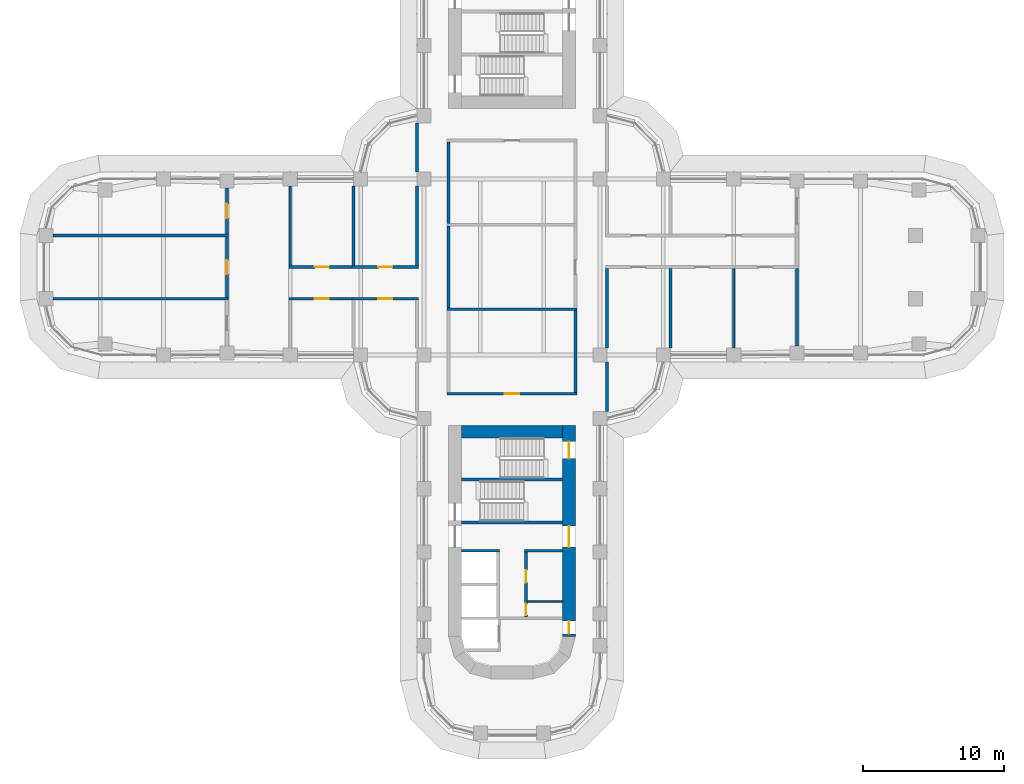
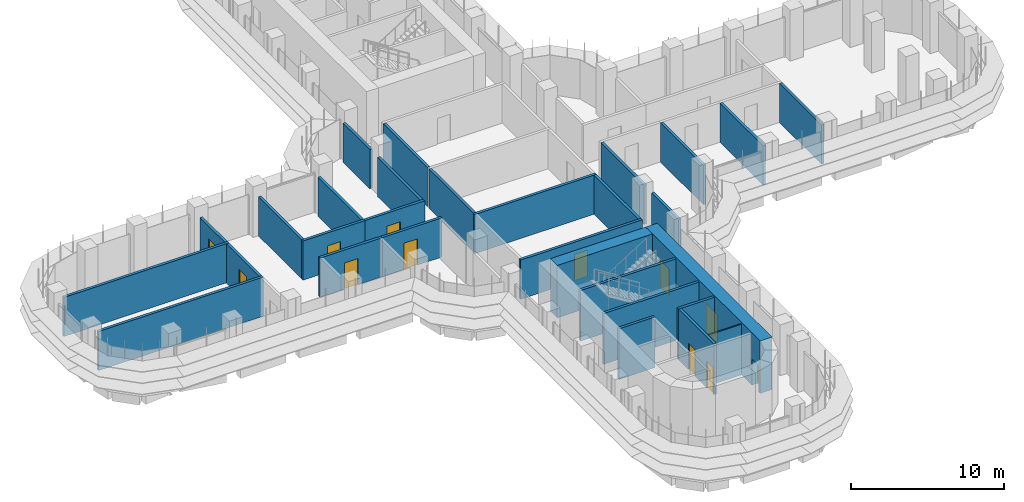
# One storey, part 17 of 23: 30 walls, 12 doors, 12 openings.
"""IFC4 building model written with IfcOpenShell, lengths in metres."""

from ifc_helpers import new_model, si_unit, direction, frame, frame_2d, origin, place, context, subcontext, project, spatial, rectangle, extrude, material, layer, layer_set, type_object, element, fill, save


model = new_model("IFC4")

# Units and contexts
model_context = context("Model", 3, precision=1e-05, world=origin(), true_north=direction((0.0, 1.0)))
body_context = subcontext(model_context, "Body", "Model", "MODEL_VIEW")
ifc_project = project(units=[si_unit("LENGTHUNIT", "METRE"), si_unit("AREAUNIT", "SQUARE_METRE"), si_unit("VOLUMEUNIT", "CUBIC_METRE"), si_unit("PLANEANGLEUNIT", "RADIAN"), si_unit("MASSUNIT", "GRAM", prefix="KILO")], contexts=[model_context])

# Site, building, storey
site_placement = place(None, origin())
site = spatial("IfcSite", under=ifc_project, at=site_placement, CompositionType="ELEMENT")
building_placement = place(site_placement, origin())
building = spatial("IfcBuilding", under=site, at=building_placement, Name="Zarbagh Exchange Tower", CompositionType="ELEMENT")
storey_placement = place(building_placement, frame((0.0, 0.0, 31.199951171875)))
storey = spatial("IfcBuildingStorey", under=building, at=storey_placement, Name="L06", CompositionType="ELEMENT", Elevation=31.199951171875)

# Walls
ifc_material_1 = material(Name="Dense blockwork", Category="masonry")
ifc_layer_1 = layer(ifc_material_1, 0.10009765625)
ifc_layer_set_1 = layer_set([ifc_layer_1], Name="Core partition 100 mm blockwork")
wall_type_1 = type_object("IfcWallType", Name="Core partition 100 mm blockwork", PredefinedType="PARTITIONING", material=ifc_layer_set_1)
wall_1_placement = place(storey_placement, frame((3.60009765625, -23.75, 0.0), z_axis=(0.0, 0.0, 1.0), x_axis=(-1.0, 0.0, 0.0)))
element("IfcWall", 1, at=wall_1_placement, inside=storey, type_object=wall_type_1, Name="South core partition wall CUT-W-460", PredefinedType="PARTITIONING", context=body_context, shape_type="SweptSolid", body=[
    extrude(rectangle(XDim=2.5, YDim=0.10009765625, at=frame_2d((1.25, 0.0))), origin(), (0.0, 0.0, 1.0), 4.050048828125),
])
ifc_material_2 = material(Name="Fire-rated plasterboard partition")
ifc_layer_2 = layer(ifc_material_2, 0.199951171875)
ifc_layer_set_2 = layer_set([ifc_layer_2], Name="RATED PARTITION 200")
wall_type_2 = type_object("IfcWallType", Name="RATED PARTITION 200", PredefinedType="PARTITIONING", material=ifc_layer_set_2)
for number, where, z_axis, x_axis, name in (
    (2, (-4.5, 3.10009765625, 0.0), (0.0, 0.0, 1.0), (0.0, 1.0, 0.0), "Partition W-201"),
    (3, (-4.5, -2.89990234375, 0.0), (0.0, 0.0, 1.0), (0.0, 1.0, 0.0), "Partition W-202"),
):
    element("IfcWall", number, at=place(storey_placement, frame(where, z_axis=z_axis, x_axis=x_axis)), inside=storey, type_object=wall_type_2, Name=name, PredefinedType="PARTITIONING", context=body_context, shape_type="SweptSolid", body=[
        extrude(rectangle(XDim=5.7998046875, YDim=0.199951171875, at=frame_2d((2.89990234375, 0.0))), origin(), (0.0, 0.0, 1.0), 3.130615234375),
    ])
wall_2_placement = place(storey_placement, frame((-6.75, 0.10009765625, 0.0), z_axis=(0.0, 0.0, 1.0), x_axis=(0.0, 1.0, 0.0)))
element("IfcWall", 4, at=wall_2_placement, inside=storey, type_object=wall_type_2, Name="Partition W-204", PredefinedType="PARTITIONING", context=body_context, shape_type="SweptSolid", body=[
    extrude(rectangle(XDim=5.64990234375, YDim=0.199951171875, at=frame_2d((2.824951171875, 0.0))), origin(), (0.0, 0.0, 1.0), 3.130615234375),
])
wall_3_placement = place(storey_placement, frame((-6.75, 6.75, 0.0), z_axis=(0.0, 0.0, 1.0), x_axis=(0.0, 1.0, 0.0)))
element("IfcWall", 5, at=wall_3_placement, inside=storey, type_object=wall_type_2, Name="Partition W-205", PredefinedType="PARTITIONING", context=body_context, shape_type="SweptSolid", body=[
    extrude(rectangle(XDim=3.5, YDim=0.199951171875, at=frame_2d((1.75, 0.0))), origin(), (0.0, 0.0, 1.0), 3.130615234375),
])
wall_4_placement = place(storey_placement, frame((4.5, -8.89990234375, 0.0), z_axis=(0.0, 0.0, 1.0), x_axis=(0.0, 1.0, 0.0)))
element("IfcWall", 6, at=wall_4_placement, inside=storey, type_object=wall_type_2, Name="Partition W-210", PredefinedType="PARTITIONING", context=body_context, shape_type="SweptSolid", body=[
    extrude(rectangle(XDim=5.7998046875, YDim=0.199951171875, at=frame_2d((2.89990234375, 0.0))), origin(), (0.0, 0.0, 1.0), 3.130615234375),
])
wall_5_placement = place(storey_placement, frame((6.75, -10.25, 0.0), z_axis=(0.0, 0.0, 1.0), x_axis=(0.0, 1.0, 0.0)))
element("IfcWall", 7, at=wall_5_placement, inside=storey, type_object=wall_type_2, Name="Partition W-213", PredefinedType="PARTITIONING", context=body_context, shape_type="SweptSolid", body=[
    extrude(rectangle(XDim=3.5, YDim=0.199951171875, at=frame_2d((1.75, 0.0))), origin(), (0.0, 0.0, 1.0), 3.130615234375),
])
wall_6_placement = place(storey_placement, frame((6.75, -5.75, 0.0), z_axis=(0.0, 0.0, 1.0), x_axis=(0.0, 1.0, 0.0)))
element("IfcWall", 8, at=wall_6_placement, inside=storey, type_object=wall_type_2, Name="Partition W-214", PredefinedType="PARTITIONING", context=body_context, shape_type="SweptSolid", body=[
    extrude(rectangle(XDim=5.64990234375, YDim=0.199951171875, at=frame_2d((2.824951171875, 0.0))), origin(), (0.0, 0.0, 1.0), 3.130615234375),
])

# Wall, opening, door
wall_7_placement = place(storey_placement, frame((-4.60009765625, -9.0, 0.0), z_axis=(0.0, 0.0, 1.0), x_axis=(1.0, 0.0, 0.0)))
wall_7 = element("IfcWall", 9, at=wall_7_placement, inside=storey, type_object=wall_type_2, Name="Partition W-216", PredefinedType="PARTITIONING", context=body_context, shape_type="SweptSolid", body=[
    extrude(rectangle(XDim=9.2001953125, YDim=0.199951171875, at=frame_2d((4.60009765625, 0.0))), origin(), (0.0, 0.0, 1.0), 3.130615234375),
])
opening_1_placement = place(wall_7_placement, frame((4.10009765625, 0.0, 0.0)))
opening_1 = element("IfcOpeningElement", 10, at=opening_1_placement, cuts=wall_7, Name="Opening D-203", PredefinedType="OPENING", context=body_context, shape_type="SweptSolid", body=[
    extrude(rectangle(XDim=1.0, YDim=2.10009765625, at=frame_2d((0.5, 1.050048828125))), frame((0.0, 0.10986328125, 0.0), z_axis=(0.0, -1.0, 0.0), x_axis=(1.0, 0.0, 0.0)), (0.0, 0.0, 1.0), 0.219970703125),
])
ifc_material_3 = material(Name="Steel door set", Category="steel")
door_type_1 = type_object("IfcDoorType", Name="FIRE DOOR 1000 X 2100 FD30S", OperationType="NOTDEFINED", PredefinedType="DOOR", material=ifc_material_3)
door_1_placement = place(opening_1_placement, origin())
door_1 = element("IfcDoor", 11, at=door_1_placement, inside=storey, type_object=door_type_1, Name="Door D-203", OperationType="SINGLE_SWING_RIGHT", OverallHeight=2.10009765625, OverallWidth=1.0, PredefinedType="DOOR", context=body_context, shape_type="SweptSolid", body=[
    extrude(rectangle(XDim=1.0, YDim=2.10009765625, at=frame_2d((0.5, 1.050048828125))), frame((0.0, 0.02490234375, 0.0), z_axis=(0.0, -1.0, 0.0), x_axis=(1.0, 0.0, 0.0)), (0.0, 0.0, 1.0), 0.050048828125),
])
fill(opening_1, door_1)

# Walls
wall_8_placement = place(storey_placement, frame((-4.60009765625, -3.0, 0.0), z_axis=(0.0, 0.0, 1.0), x_axis=(1.0, 0.0, 0.0)))
element("IfcWall", 12, at=wall_8_placement, inside=storey, type_object=wall_type_2, Name="Partition W-218", PredefinedType="PARTITIONING", context=body_context, shape_type="SweptSolid", body=[
    extrude(rectangle(XDim=9.2001953125, YDim=0.199951171875, at=frame_2d((4.60009765625, 0.0))), origin(), (0.0, 0.0, 1.0), 3.130615234375),
])
for number, where, z_axis, x_axis, name in (
    (13, (11.25, -5.75, 0.0), (0.0, 0.0, 1.0), (0.0, 1.0, 0.0), "Partition W-226"),
    (14, (15.75, -5.75, 0.0), (0.0, 0.0, 1.0), (0.0, 1.0, 0.0), "Partition W-228"),
):
    element("IfcWall", number, at=place(storey_placement, frame(where, z_axis=z_axis, x_axis=x_axis)), inside=storey, type_object=wall_type_2, Name=name, PredefinedType="PARTITIONING", context=body_context, shape_type="SweptSolid", body=[
        extrude(rectangle(XDim=5.64990234375, YDim=0.199951171875, at=frame_2d((2.824951171875, 0.0))), origin(), (0.0, 0.0, 1.0), 3.130615234375),
    ])
wall_9_placement = place(storey_placement, frame((20.25, -5.610107421875, 0.0), z_axis=(0.0, 0.0, 1.0), x_axis=(0.0, 1.0, 0.0)))
element("IfcWall", 15, at=wall_9_placement, inside=storey, type_object=wall_type_2, Name="Partition W-229", PredefinedType="PARTITIONING", context=body_context, shape_type="SweptSolid", body=[
    extrude(rectangle(XDim=5.510009765625, YDim=0.199951171875, at=frame_2d((2.7548828125, 0.0))), origin(), (0.0, 0.0, 1.0), 3.130615234375),
])

# Wall, opening, door
wall_10_placement = place(storey_placement, frame((-11.35009765625, 0.0, 0.0), z_axis=(0.0, 0.0, 1.0), x_axis=(1.0, 0.0, 0.0)))
wall_10 = element("IfcWall", 16, at=wall_10_placement, inside=storey, type_object=wall_type_2, Name="Partition W-230", PredefinedType="PARTITIONING", context=body_context, shape_type="SweptSolid", body=[
    extrude(rectangle(XDim=4.7001953125, YDim=0.199951171875, at=frame_2d((2.35009765625, 0.0))), origin(), (0.0, 0.0, 1.0), 3.130615234375),
])
opening_2_placement = place(wall_10_placement, frame((1.85009765625, 0.0, 0.0)))
opening_2 = element("IfcOpeningElement", 17, at=opening_2_placement, cuts=wall_10, Name="Opening D-210", PredefinedType="OPENING", context=body_context, shape_type="SweptSolid", body=[
    extrude(rectangle(XDim=1.0, YDim=2.10009765625, at=frame_2d((0.5, 1.050048828125))), frame((0.0, 0.10986328125, 0.0), z_axis=(0.0, -1.0, 0.0), x_axis=(1.0, 0.0, 0.0)), (0.0, 0.0, 1.0), 0.219970703125),
])
door_2_placement = place(opening_2_placement, origin())
door_2 = element("IfcDoor", 18, at=door_2_placement, inside=storey, type_object=door_type_1, Name="Door D-210", OperationType="SINGLE_SWING_RIGHT", OverallHeight=2.10009765625, OverallWidth=1.0, PredefinedType="DOOR", context=body_context, shape_type="SweptSolid", body=[
    extrude(rectangle(XDim=1.0, YDim=2.10009765625, at=frame_2d((0.5, 1.050048828125))), frame((0.0, 0.02490234375, 0.0), z_axis=(0.0, -1.0, 0.0), x_axis=(1.0, 0.0, 0.0)), (0.0, 0.0, 1.0), 0.050048828125),
])
fill(opening_2, door_2)

wall_11_placement = place(storey_placement, frame((-6.64990234375, -2.25, 0.0), z_axis=(0.0, 0.0, 1.0), x_axis=(-1.0, 0.0, 0.0)))
wall_11 = element("IfcWall", 19, at=wall_11_placement, inside=storey, type_object=wall_type_2, Name="Partition W-231", PredefinedType="PARTITIONING", context=body_context, shape_type="SweptSolid", body=[
    extrude(rectangle(XDim=4.7001953125, YDim=0.199951171875, at=frame_2d((2.35009765625, 0.0))), origin(), (0.0, 0.0, 1.0), 3.130615234375),
])
opening_3_placement = place(wall_11_placement, frame((1.85009765625, 0.0, 0.0)))
opening_3 = element("IfcOpeningElement", 20, at=opening_3_placement, cuts=wall_11, Name="Opening D-212", PredefinedType="OPENING", context=body_context, shape_type="SweptSolid", body=[
    extrude(rectangle(XDim=1.0, YDim=2.10009765625, at=frame_2d((0.5, 1.050048828125))), frame((0.0, 0.10986328125, 0.0), z_axis=(0.0, -1.0, 0.0), x_axis=(1.0, 0.0, 0.0)), (0.0, 0.0, 1.0), 0.219970703125),
])
door_3_placement = place(opening_3_placement, origin())
door_3 = element("IfcDoor", 21, at=door_3_placement, inside=storey, type_object=door_type_1, Name="Door D-212", OperationType="SINGLE_SWING_RIGHT", OverallHeight=2.10009765625, OverallWidth=1.0, PredefinedType="DOOR", context=body_context, shape_type="SweptSolid", body=[
    extrude(rectangle(XDim=1.0, YDim=2.10009765625, at=frame_2d((0.5, 1.050048828125))), frame((0.0, 0.02490234375, 0.0), z_axis=(0.0, -1.0, 0.0), x_axis=(1.0, 0.0, 0.0)), (0.0, 0.0, 1.0), 0.050048828125),
])
fill(opening_3, door_3)

wall_12_placement = place(storey_placement, frame((-15.85009765625, 0.0, 0.0), z_axis=(0.0, 0.0, 1.0), x_axis=(1.0, 0.0, 0.0)))
wall_12 = element("IfcWall", 22, at=wall_12_placement, inside=storey, type_object=wall_type_2, Name="Partition W-232", PredefinedType="PARTITIONING", context=body_context, shape_type="SweptSolid", body=[
    extrude(rectangle(XDim=4.7001953125, YDim=0.199951171875, at=frame_2d((2.35009765625, 0.0))), origin(), (0.0, 0.0, 1.0), 3.130615234375),
])
opening_4_placement = place(wall_12_placement, frame((1.85009765625, 0.0, 0.0)))
opening_4 = element("IfcOpeningElement", 23, at=opening_4_placement, cuts=wall_12, Name="Opening D-211", PredefinedType="OPENING", context=body_context, shape_type="SweptSolid", body=[
    extrude(rectangle(XDim=1.0, YDim=2.10009765625, at=frame_2d((0.5, 1.050048828125))), frame((0.0, 0.10986328125, 0.0), z_axis=(0.0, -1.0, 0.0), x_axis=(1.0, 0.0, 0.0)), (0.0, 0.0, 1.0), 0.219970703125),
])
door_4_placement = place(opening_4_placement, origin())
door_4 = element("IfcDoor", 24, at=door_4_placement, inside=storey, type_object=door_type_1, Name="Door D-211", OperationType="SINGLE_SWING_RIGHT", OverallHeight=2.10009765625, OverallWidth=1.0, PredefinedType="DOOR", context=body_context, shape_type="SweptSolid", body=[
    extrude(rectangle(XDim=1.0, YDim=2.10009765625, at=frame_2d((0.5, 1.050048828125))), frame((0.0, 0.02490234375, 0.0), z_axis=(0.0, -1.0, 0.0), x_axis=(1.0, 0.0, 0.0)), (0.0, 0.0, 1.0), 0.050048828125),
])
fill(opening_4, door_4)

wall_13_placement = place(storey_placement, frame((-11.14990234375, -2.25, 0.0), z_axis=(0.0, 0.0, 1.0), x_axis=(-1.0, 0.0, 0.0)))
wall_13 = element("IfcWall", 25, at=wall_13_placement, inside=storey, type_object=wall_type_2, Name="Partition W-233", PredefinedType="PARTITIONING", context=body_context, shape_type="SweptSolid", body=[
    extrude(rectangle(XDim=4.7001953125, YDim=0.199951171875, at=frame_2d((2.35009765625, 0.0))), origin(), (0.0, 0.0, 1.0), 3.130615234375),
])
opening_5_placement = place(wall_13_placement, frame((1.85009765625, 0.0, 0.0)))
opening_5 = element("IfcOpeningElement", 26, at=opening_5_placement, cuts=wall_13, Name="Opening D-213", PredefinedType="OPENING", context=body_context, shape_type="SweptSolid", body=[
    extrude(rectangle(XDim=1.0, YDim=2.10009765625, at=frame_2d((0.5, 1.050048828125))), frame((0.0, 0.10986328125, 0.0), z_axis=(0.0, -1.0, 0.0), x_axis=(1.0, 0.0, 0.0)), (0.0, 0.0, 1.0), 0.219970703125),
])
door_5_placement = place(opening_5_placement, origin())
door_5 = element("IfcDoor", 27, at=door_5_placement, inside=storey, type_object=door_type_1, Name="Door D-213", OperationType="SINGLE_SWING_RIGHT", OverallHeight=2.10009765625, OverallWidth=1.0, PredefinedType="DOOR", context=body_context, shape_type="SweptSolid", body=[
    extrude(rectangle(XDim=1.0, YDim=2.10009765625, at=frame_2d((0.5, 1.050048828125))), frame((0.0, 0.02490234375, 0.0), z_axis=(0.0, -1.0, 0.0), x_axis=(1.0, 0.0, 0.0)), (0.0, 0.0, 1.0), 0.050048828125),
])
fill(opening_5, door_5)

# Walls
for number, where, z_axis, x_axis, name in (
    (28, (-11.25, 0.10009765625, 0.0), (0.0, 0.0, 1.0), (0.0, 1.0, 0.0), "Partition W-234"),
    (29, (-15.75, 0.10009765625, 0.0), (0.0, 0.0, 1.0), (0.0, 1.0, 0.0), "Partition W-236"),
):
    element("IfcWall", number, at=place(storey_placement, frame(where, z_axis=z_axis, x_axis=x_axis)), inside=storey, type_object=wall_type_2, Name=name, PredefinedType="PARTITIONING", context=body_context, shape_type="SweptSolid", body=[
        extrude(rectangle(XDim=5.64990234375, YDim=0.199951171875, at=frame_2d((2.824951171875, 0.0))), origin(), (0.0, 0.0, 1.0), 3.130615234375),
    ])

# Wall, opening, door
wall_14_placement = place(storey_placement, frame((-20.25, -2.14990234375, 0.0), z_axis=(0.0, 0.0, 1.0), x_axis=(0.0, 1.0, 0.0)))
wall_14 = element("IfcWall", 30, at=wall_14_placement, inside=storey, type_object=wall_type_2, Name="Partition W-239", PredefinedType="PARTITIONING", context=body_context, shape_type="SweptSolid", body=[
    extrude(rectangle(XDim=4.2998046875, YDim=0.199951171875, at=frame_2d((2.14990234375, 0.0))), origin(), (0.0, 0.0, 1.0), 3.130615234375),
])
opening_6_placement = place(wall_14_placement, frame((1.64990234375, 0.0, 0.0)))
opening_6 = element("IfcOpeningElement", 31, at=opening_6_placement, cuts=wall_14, Name="Opening D-215", PredefinedType="OPENING", context=body_context, shape_type="SweptSolid", body=[
    extrude(rectangle(XDim=1.0, YDim=2.10009765625, at=frame_2d((0.5, 1.050048828125))), frame((0.0, 0.10986328125, 0.0), z_axis=(0.0, -1.0, 0.0), x_axis=(1.0, 0.0, 0.0)), (0.0, 0.0, 1.0), 0.219970703125),
])
door_6_placement = place(opening_6_placement, origin())
door_6 = element("IfcDoor", 32, at=door_6_placement, inside=storey, type_object=door_type_1, Name="Door D-215", OperationType="SINGLE_SWING_RIGHT", OverallHeight=2.10009765625, OverallWidth=1.0, PredefinedType="DOOR", context=body_context, shape_type="SweptSolid", body=[
    extrude(rectangle(XDim=1.0, YDim=2.10009765625, at=frame_2d((0.5, 1.050048828125))), frame((0.0, 0.02490234375, 0.0), z_axis=(0.0, -1.0, 0.0), x_axis=(1.0, 0.0, 0.0)), (0.0, 0.0, 1.0), 0.050048828125),
])
fill(opening_6, door_6)

wall_15_placement = place(storey_placement, frame((-20.25, 2.35009765625, 0.0), z_axis=(0.0, 0.0, 1.0), x_axis=(0.0, 1.0, 0.0)))
wall_15 = element("IfcWall", 33, at=wall_15_placement, inside=storey, type_object=wall_type_2, Name="Partition W-240", PredefinedType="PARTITIONING", context=body_context, shape_type="SweptSolid", body=[
    extrude(rectangle(XDim=3.260009765625, YDim=0.199951171875, at=frame_2d((1.6298828125, 0.0))), origin(), (0.0, 0.0, 1.0), 3.130615234375),
])
opening_7_placement = place(wall_15_placement, frame((1.1298828125, 0.0, 0.0)))
opening_7 = element("IfcOpeningElement", 34, at=opening_7_placement, cuts=wall_15, Name="Opening D-216", PredefinedType="OPENING", context=body_context, shape_type="SweptSolid", body=[
    extrude(rectangle(XDim=1.0, YDim=2.10009765625, at=frame_2d((0.5, 1.050048828125))), frame((0.0, 0.10986328125, 0.0), z_axis=(0.0, -1.0, 0.0), x_axis=(1.0, 0.0, 0.0)), (0.0, 0.0, 1.0), 0.219970703125),
])
door_7_placement = place(opening_7_placement, origin())
door_7 = element("IfcDoor", 35, at=door_7_placement, inside=storey, type_object=door_type_1, Name="Door D-216", OperationType="SINGLE_SWING_RIGHT", OverallHeight=2.10009765625, OverallWidth=1.0, PredefinedType="DOOR", context=body_context, shape_type="SweptSolid", body=[
    extrude(rectangle(XDim=1.0, YDim=2.10009765625, at=frame_2d((0.5, 1.050048828125))), frame((0.0, 0.02490234375, 0.0), z_axis=(0.0, -1.0, 0.0), x_axis=(1.0, 0.0, 0.0)), (0.0, 0.0, 1.0), 0.050048828125),
])
fill(opening_7, door_7)

# Walls
for number, where, z_axis, x_axis, name in (
    (36, (-32.610107421875, -2.25, 0.0), (0.0, 0.0, 1.0), (1.0, 0.0, 0.0), "Partition W-241"),
    (37, (-32.610107421875, 2.25, 0.0), (0.0, 0.0, 1.0), (1.0, 0.0, 0.0), "Partition W-242"),
):
    element("IfcWall", number, at=place(storey_placement, frame(where, z_axis=z_axis, x_axis=x_axis)), inside=storey, type_object=wall_type_2, Name=name, PredefinedType="PARTITIONING", context=body_context, shape_type="SweptSolid", body=[
        extrude(rectangle(XDim=12.460205078125, YDim=0.199951171875, at=frame_2d((6.22998046875, 0.0))), origin(), (0.0, 0.0, 1.0), 3.130615234375),
    ])

# Wall, openings, doors
ifc_material_4 = material(Name="Concrete C60/75", Category="concrete")
ifc_layer_3 = layer(ifc_material_4, 0.89990234375)
ifc_layer_set_3 = layer_set([ifc_layer_3], Name="RC core wall 900 C60/75")
wall_type_3 = type_object("IfcWallType", Name="RC core wall 900 C60/75", PredefinedType="SHEAR", material=ifc_layer_set_3)
wall_16_placement = place(storey_placement, frame((4.050048828125, -11.25, 0.0), z_axis=(0.0, 0.0, 1.0), x_axis=(0.0, -1.0, 0.0)))
wall_16 = element("IfcWall", 38, at=wall_16_placement, inside=storey, type_object=wall_type_3, Name="CW1 core S E", PredefinedType="SHEAR", context=body_context, shape_type="SweptSolid", body=[
    extrude(rectangle(XDim=15.0, YDim=0.89990234375, at=frame_2d((7.5, 0.0))), origin(), (0.0, 0.0, 1.0), 4.199951171875),
])
opening_8_placement = place(wall_16_placement, frame((7.14990234375, 0.0, 0.0)))
opening_8 = element("IfcOpeningElement", 39, at=opening_8_placement, cuts=wall_16, Name="Opening CD1-1500", PredefinedType="OPENING", context=body_context, shape_type="SweptSolid", body=[
    extrude(rectangle(XDim=1.5, YDim=2.300048828125, at=frame_2d((0.75, 1.14990234375))), frame((0.0, 0.4599609375, 0.0), z_axis=(0.0, -1.0, 0.0), x_axis=(1.0, 0.0, 0.0)), (0.0, 0.0, 1.0), 0.919921875),
])
opening_9_placement = place(wall_16_placement, frame((13.89990234375, 0.0, 0.0)))
opening_9 = element("IfcOpeningElement", 40, at=opening_9_placement, cuts=wall_16, Name="Opening CD2-900", PredefinedType="OPENING", context=body_context, shape_type="SweptSolid", body=[
    extrude(rectangle(XDim=0.89990234375, YDim=2.10009765625, at=frame_2d((0.449951171875, 1.050048828125))), frame((0.0, 0.4599609375, 0.0), z_axis=(0.0, -1.0, 0.0), x_axis=(1.0, 0.0, 0.0)), (0.0, 0.0, 1.0), 0.919921875),
])
opening_10_placement = place(wall_16_placement, frame((1.14990234375, 0.0, 0.0)))
opening_10 = element("IfcOpeningElement", 41, at=opening_10_placement, cuts=wall_16, Name="Opening SD1-1200", PredefinedType="OPENING", context=body_context, shape_type="SweptSolid", body=[
    extrude(rectangle(XDim=1.199951171875, YDim=2.10009765625, at=frame_2d((0.60009765625, 1.050048828125))), frame((0.0, 0.4599609375, 0.0), z_axis=(0.0, -1.0, 0.0), x_axis=(1.0, 0.0, 0.0)), (0.0, 0.0, 1.0), 0.919921875),
])
ifc_material_5 = material(Name="Steel", Category="steel")
door_type_2 = type_object("IfcDoorType", Name="Exit stair door 1200 x 2100", OperationType="NOTDEFINED", PredefinedType="DOOR", material=ifc_material_5)
door_8_placement = place(opening_10_placement, origin())
door_8 = element("IfcDoor", 42, at=door_8_placement, inside=storey, type_object=door_type_2, Name="South core stair door ST2", OperationType="SINGLE_SWING_RIGHT", OverallHeight=2.10009765625, OverallWidth=1.199951171875, PredefinedType="DOOR", context=body_context, shape_type="SweptSolid", body=[
    extrude(rectangle(XDim=1.199951171875, YDim=2.10009765625, at=frame_2d((0.60009765625, 1.050048828125))), frame((0.0, 0.02490234375, 0.0), z_axis=(0.0, -1.0, 0.0), x_axis=(1.0, 0.0, 0.0)), (0.0, 0.0, 1.0), 0.050048828125),
])
fill(opening_10, door_8)
door_type_3 = type_object("IfcDoorType", Name="Firefighting lobby door 900 x 2100", OperationType="NOTDEFINED", PredefinedType="DOOR", material=ifc_material_5)
door_9_placement = place(opening_9_placement, origin())
door_9 = element("IfcDoor", 43, at=door_9_placement, inside=storey, type_object=door_type_3, Name="South core firefighting lobby door FF-W", OperationType="SINGLE_SWING_LEFT", OverallHeight=2.10009765625, OverallWidth=0.89990234375, PredefinedType="DOOR", context=body_context, shape_type="SweptSolid", body=[
    extrude(rectangle(XDim=0.89990234375, YDim=2.10009765625, at=frame_2d((0.449951171875, 1.050048828125))), frame((0.0, 0.02490234375, 0.0), z_axis=(0.0, -1.0, 0.0), x_axis=(1.0, 0.0, 0.0)), (0.0, 0.0, 1.0), 0.050048828125),
])
fill(opening_9, door_9)
door_type_4 = type_object("IfcDoorType", Name="Lift lobby double door 1500 x 2300", OperationType="NOTDEFINED", PredefinedType="DOOR", material=ifc_material_5)
door_10_placement = place(opening_8_placement, origin())
door_10 = element("IfcDoor", 44, at=door_10_placement, inside=storey, type_object=door_type_4, Name="South core lift lobby door LOBBY-W", OperationType="DOUBLE_DOOR_SINGLE_SWING", OverallHeight=2.300048828125, OverallWidth=1.5, PredefinedType="DOOR", context=body_context, shape_type="SweptSolid", body=[
    extrude(rectangle(XDim=1.5, YDim=2.300048828125, at=frame_2d((0.75, 1.14990234375))), frame((0.0, 0.02490234375, 0.0), z_axis=(0.0, -1.0, 0.0), x_axis=(1.0, 0.0, 0.0)), (0.0, 0.0, 1.0), 0.050048828125),
])
fill(opening_8, door_10)

# Walls
wall_17_placement = place(storey_placement, frame((-3.60009765625, -11.699951171875, 0.0), z_axis=(0.0, 0.0, 1.0), x_axis=(1.0, 0.0, 0.0)))
element("IfcWall", 45, at=wall_17_placement, inside=storey, type_object=wall_type_3, Name="CW1 core S inner end", PredefinedType="SHEAR", context=body_context, shape_type="SweptSolid", body=[
    extrude(rectangle(XDim=7.2001953125, YDim=0.89990234375, at=frame_2d((3.60009765625, 0.0))), origin(), (0.0, 0.0, 1.0), 4.199951171875),
])
ifc_layer_4 = layer(ifc_material_1, 0.199951171875)
ifc_layer_set_4 = layer_set([ifc_layer_4], Name="Shaft wall 200 mm blockwork")
wall_type_4 = type_object("IfcWallType", Name="Shaft wall 200 mm blockwork", PredefinedType="PARTITIONING", material=ifc_layer_set_4)
wall_18_placement = place(storey_placement, frame((3.60009765625, -20.14990234375, 0.0), z_axis=(0.0, 0.0, 1.0), x_axis=(-1.0, 0.0, 0.0)))
element("IfcWall", 46, at=wall_18_placement, inside=storey, type_object=wall_type_4, Name="South core shaft wall AB-W", PredefinedType="PARTITIONING", context=body_context, shape_type="SweptSolid", body=[
    extrude(rectangle(XDim=2.7001953125, YDim=0.199951171875, at=frame_2d((1.35009765625, 0.0))), origin(), (0.0, 0.0, 1.0), 4.050048828125),
])

# Wall, openings, doors
wall_19_placement = place(storey_placement, frame((1.0, -24.85009765625, 0.0), z_axis=(0.0, 0.0, 1.0), x_axis=(0.0, 1.0, 0.0)))
wall_19 = element("IfcWall", 47, at=wall_19_placement, inside=storey, type_object=wall_type_4, Name="South core shaft wall LW-W", PredefinedType="PARTITIONING", context=body_context, shape_type="SweptSolid", body=[
    extrude(rectangle(XDim=4.60009765625, YDim=0.199951171875, at=frame_2d((2.300048828125, 0.0))), origin(), (0.0, 0.0, 1.0), 4.050048828125),
])
opening_11_placement = place(wall_19_placement, frame((0.125, 0.0, 0.0)))
opening_11 = element("IfcOpeningElement", 48, at=opening_11_placement, cuts=wall_19, Name="Opening CD3-800", PredefinedType="OPENING", context=body_context, shape_type="SweptSolid", body=[
    extrude(rectangle(XDim=0.800048828125, YDim=2.10009765625, at=frame_2d((0.39990234375, 1.050048828125))), frame((0.0, 0.10986328125, 0.0), z_axis=(0.0, -1.0, 0.0), x_axis=(1.0, 0.0, 0.0)), (0.0, 0.0, 1.0), 0.219970703125),
])
opening_12_placement = place(wall_19_placement, frame((2.425048828125, 0.0, 0.0)))
opening_12 = element("IfcOpeningElement", 49, at=opening_12_placement, cuts=wall_19, Name="Opening CD3-900", PredefinedType="OPENING", context=body_context, shape_type="SweptSolid", body=[
    extrude(rectangle(XDim=0.89990234375, YDim=2.10009765625, at=frame_2d((0.449951171875, 1.050048828125))), frame((0.0, 0.10986328125, 0.0), z_axis=(0.0, -1.0, 0.0), x_axis=(1.0, 0.0, 0.0)), (0.0, 0.0, 1.0), 0.219970703125),
])
door_type_5 = type_object("IfcDoorType", Name="Core room door 800 x 2100", OperationType="NOTDEFINED", PredefinedType="DOOR", material=ifc_material_5)
door_11_placement = place(opening_11_placement, origin())
door_11 = element("IfcDoor", 50, at=door_11_placement, inside=storey, type_object=door_type_5, Name="South core Store door RD-W-0", OperationType="SINGLE_SWING_RIGHT", OverallHeight=2.10009765625, OverallWidth=0.800048828125, PredefinedType="DOOR", context=body_context, shape_type="SweptSolid", body=[
    extrude(rectangle(XDim=0.800048828125, YDim=2.10009765625, at=frame_2d((0.39990234375, 1.050048828125))), frame((0.0, 0.02490234375, 0.0), z_axis=(0.0, -1.0, 0.0), x_axis=(1.0, 0.0, 0.0)), (0.0, 0.0, 1.0), 0.050048828125),
])
fill(opening_11, door_11)
door_type_6 = type_object("IfcDoorType", Name="Core room door 900 x 2100", OperationType="NOTDEFINED", PredefinedType="DOOR", material=ifc_material_5)
door_12_placement = place(opening_12_placement, origin())
door_12 = element("IfcDoor", 51, at=door_12_placement, inside=storey, type_object=door_type_6, Name="South core Staff WC door RD-W-1", OperationType="SINGLE_SWING_LEFT", OverallHeight=2.10009765625, OverallWidth=0.89990234375, PredefinedType="DOOR", context=body_context, shape_type="SweptSolid", body=[
    extrude(rectangle(XDim=0.89990234375, YDim=2.10009765625, at=frame_2d((0.449951171875, 1.050048828125))), frame((0.0, 0.02490234375, 0.0), z_axis=(0.0, -1.0, 0.0), x_axis=(1.0, 0.0, 0.0)), (0.0, 0.0, 1.0), 0.050048828125),
])
fill(opening_12, door_12)

# Walls
wall_20_placement = place(storey_placement, frame((-0.89990234375, -20.14990234375, 0.0), z_axis=(0.0, 0.0, 1.0), x_axis=(-1.0, 0.0, 0.0)))
element("IfcWall", 52, at=wall_20_placement, inside=storey, type_object=wall_type_4, Name="South core shaft wall AB-E", PredefinedType="PARTITIONING", context=body_context, shape_type="SweptSolid", body=[
    extrude(rectangle(XDim=2.7001953125, YDim=0.199951171875, at=frame_2d((1.35009765625, 0.0))), origin(), (0.0, 0.0, 1.0), 4.050048828125),
])
ifc_material_6 = material(Name="Concrete C40/50", Category="concrete")
ifc_layer_5 = layer(ifc_material_6, 0.199951171875)
ifc_layer_set_5 = layer_set([ifc_layer_5], Name="Stair enclosure wall 200 mm RC C40/50")
wall_type_5 = type_object("IfcWallType", Name="Stair enclosure wall 200 mm RC C40/50", PredefinedType="SHEAR", material=ifc_layer_set_5)
for number, where, z_axis, x_axis, name in (
    (53, (3.60009765625, -18.14990234375, 0.0), (0.0, 0.0, 1.0), (-1.0, 0.0, 0.0), "South core stair wall BS"),
    (54, (3.60009765625, -15.10009765625, 0.0), (0.0, 0.0, 1.0), (-1.0, 0.0, 0.0), "South core stair wall ST12"),
):
    element("IfcWall", number, at=place(storey_placement, frame(where, z_axis=z_axis, x_axis=x_axis)), inside=storey, type_object=wall_type_5, Name=name, PredefinedType="SHEAR", context=body_context, shape_type="SweptSolid", body=[
        extrude(rectangle(XDim=7.2001953125, YDim=0.199951171875, at=frame_2d((3.60009765625, 0.0))), origin(), (0.0, 0.0, 1.0), 4.050048828125),
    ])

save(model, "model.ifc")
